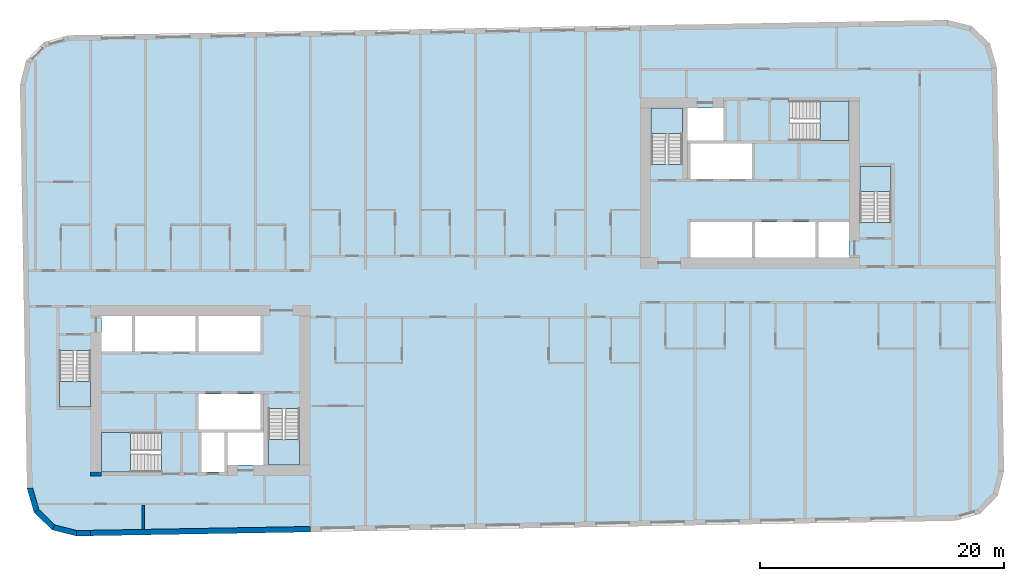
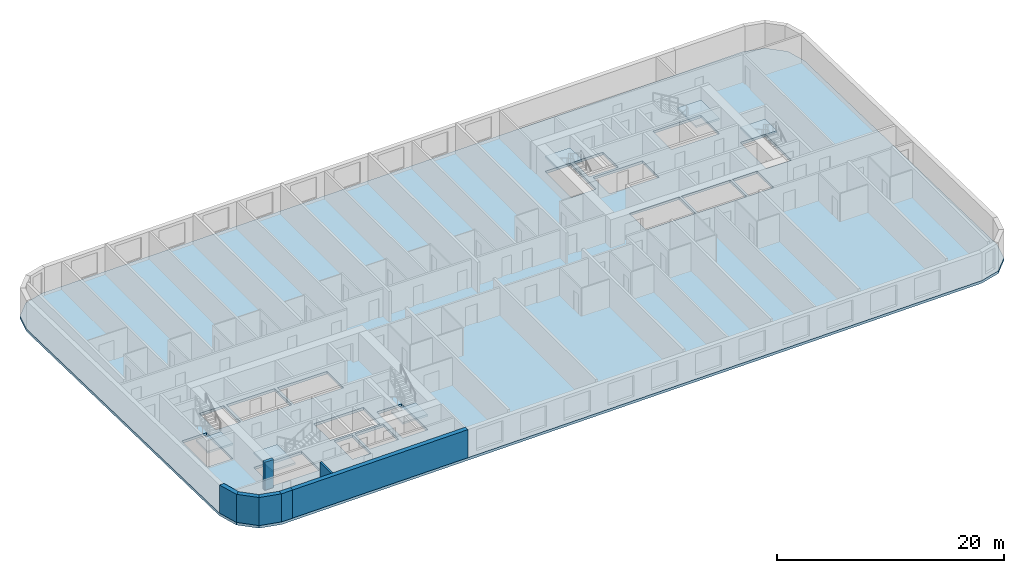
# One storey, part 1 of 11: 7 slabs, 7 walls, 6 elements without a shape of their own.
"""IFC4 building model written with IfcOpenShell, lengths in metres."""

import ifcopenshell
import ifcopenshell.guid

model = None  # the IFC model being written
_history = None  # IfcOwnerHistory: only IFC2X3 demands one
_inside = {}  # id of a spatial element -> (the spatial element, [elements in it])
_under = {}  # id of a project, library or spatial element -> (it, [spatial elements below it])
_declared = {}  # id of a project -> (the project, [libraries it declares])
_typed = {}  # id of a type object -> (the type object, [elements of that type])
_made_of = {}  # id of a material, layer set ... -> (it, [elements and type objects made of it])


def new_model(schema):
    """Start an empty IFC model of exactly this schema.

    Asked for "IFC4X3", IfcOpenShell would pick the latest addendum, in which some entities
    have other attributes; the version numbers below select the first issue.
    IFC2X3 requires an IfcOwnerHistory on every rooted entity: one is made here for all.
    """
    global model, _history
    if schema == "IFC4X3":
        model = ifcopenshell.file(schema_version=(4, 3, 0, 0))
    else:
        model = ifcopenshell.file(schema=schema)
    _inside.clear()
    _under.clear()
    _declared.clear()
    _typed.clear()
    _made_of.clear()
    _history = None
    if model.schema == "IFC2X3":
        org = make("IfcOrganization", Name="unknown")
        user = make(
            "IfcPersonAndOrganization",
            ThePerson=make("IfcPerson", FamilyName="unknown"),
            TheOrganization=org,
        )
        app = make(
            "IfcApplication",
            ApplicationDeveloper=org,
            Version="unknown",
            ApplicationFullName="unknown",
            ApplicationIdentifier="unknown",
        )
        _history = make(
            "IfcOwnerHistory",
            OwningUser=user,
            OwningApplication=app,
            ChangeAction="ADDED",
            CreationDate=0,
        )
    return model


def make(cls, **values):
    """One entity of the class cls with the attributes given. An attribute that is None is left unset."""
    return model.create_entity(
        cls, **{name: value for name, value in values.items() if value is not None}
    )


def rooted(cls, **values):
    """An entity with a GlobalId (a new one), such as an element, a storey or a relation."""
    return make(cls, GlobalId=ifcopenshell.guid.new(), OwnerHistory=_history, **values)


def si_unit(unit_type, name, prefix=None):
    """IfcSIUnit, for example si_unit("LENGTHUNIT", "METRE", prefix="MILLI")."""
    return make("IfcSIUnit", UnitType=unit_type, Prefix=prefix, Name=name)


def assignment(units):
    """IfcUnitAssignment: the units of a project."""
    return None if units is None else make("IfcUnitAssignment", Units=units)


def point(xyz):
    """IfcCartesianPoint."""
    return None if xyz is None else make("IfcCartesianPoint", Coordinates=xyz)


def direction(xyz):
    """IfcDirection."""
    return None if xyz is None else make("IfcDirection", DirectionRatios=xyz)


def frame(location, z_axis=None, x_axis=None):
    """IfcAxis2Placement3D, a coordinate frame: its origin and axes. An axis left out is left unset."""
    return make(
        "IfcAxis2Placement3D",
        Location=point(location),
        Axis=direction(z_axis),
        RefDirection=direction(x_axis),
    )


def frame_2d(location, x_axis=None):
    """IfcAxis2Placement2D, a coordinate frame in the plane: its origin and x axis."""
    return make(
        "IfcAxis2Placement2D", Location=point(location), RefDirection=direction(x_axis)
    )


def origin():
    """The frame at (0, 0, 0) with its axes left unset."""
    return frame((0.0, 0.0, 0.0))


def place(relative_to, where):
    """IfcLocalPlacement: puts the frame where relative to a parent placement (None: the world)."""
    return make(
        "IfcLocalPlacement", PlacementRelTo=relative_to, RelativePlacement=where
    )


def context(
    kind, dimensions, precision=None, world=None, true_north=None, identifier=None
):
    """IfcGeometricRepresentationContext, for example the 3D "Model" context."""
    return make(
        "IfcGeometricRepresentationContext",
        ContextIdentifier=identifier,
        ContextType=kind,
        CoordinateSpaceDimension=dimensions,
        Precision=precision,
        WorldCoordinateSystem=world,
        TrueNorth=true_north,
    )


def subcontext(parent, identifier, kind, view, scale=None):
    """IfcGeometricRepresentationSubContext, for example "Body" below "Model"."""
    return make(
        "IfcGeometricRepresentationSubContext",
        ContextIdentifier=identifier,
        ContextType=kind,
        ParentContext=parent,
        TargetScale=scale,
        TargetView=view,
    )


def project(units=None, contexts=None):
    """IfcProject with its units and contexts."""
    return rooted(
        "IfcProject",
        Name="project",
        RepresentationContexts=contexts,
        UnitsInContext=assignment(units),
    )


def spatial(cls, under=None, at=None, **own):
    """A site, building, storey or space (cls), placed at a placement, below another one or the project."""
    s = rooted(cls, ObjectPlacement=at, **own)
    if under is not None:
        _under.setdefault(under.id(), (under, []))[1].append(s)
    return s


def polyline(points):
    """IfcPolyline through the points."""
    return make("IfcPolyline", Points=[point(p) for p in points])


def profile(cls, at=None, kind="AREA", **sizes):
    """A parametric profile (cls). Its sizes go by their IFC names, for example OverallWidth=200.0."""
    return make(cls, ProfileType=kind, Position=at, **sizes)


def rectangle(**sizes):
    """IfcRectangleProfileDef."""
    return profile("IfcRectangleProfileDef", **sizes)


def outline(outer, holes=None, kind="AREA"):
    """IfcArbitraryClosedProfileDef: a profile drawn as a closed curve; with holes, ...WithVoids."""
    if holes is None:
        return make("IfcArbitraryClosedProfileDef", ProfileType=kind, OuterCurve=outer)
    return make(
        "IfcArbitraryProfileDefWithVoids",
        ProfileType=kind,
        OuterCurve=outer,
        InnerCurves=holes,
    )


def extrude(swept, where, along, depth):
    """IfcExtrudedAreaSolid: the profile swept, set in the frame where, extruded along a direction by depth."""
    return make(
        "IfcExtrudedAreaSolid",
        SweptArea=swept,
        Position=where,
        ExtrudedDirection=direction(along),
        Depth=depth,
    )


def shape(context_of_items, identifier, shape_type, items):
    """IfcShapeRepresentation: the items that make up one representation, for example the "Body"."""
    return make(
        "IfcShapeRepresentation",
        ContextOfItems=context_of_items,
        RepresentationIdentifier=identifier,
        RepresentationType=shape_type,
        Items=items,
    )


def material(Name=None, Category=None):
    """IfcMaterial."""
    return make("IfcMaterial", Name=Name, Category=Category)


def layer(
    of_material, thickness, ventilated=None, Name=None, Category=None, Priority=None
):
    """IfcMaterialLayer: one layer of a wall or slab, of a material (None: an air gap)."""
    return make(
        "IfcMaterialLayer",
        Material=of_material,
        LayerThickness=thickness,
        IsVentilated=ventilated,
        Name=Name,
        Category=Category,
        Priority=Priority,
    )


def layer_set(layers, Name=None):
    """IfcMaterialLayerSet."""
    return make("IfcMaterialLayerSet", MaterialLayers=layers, LayerSetName=Name)


def made_of(thing, what):
    """Note that an element or type object is made of a material, layer set ...; save() writes the relation."""
    if what is not None:
        _made_of.setdefault(what.id(), (what, []))[1].append(thing)
    return thing


def type_object(cls, material=None, **own):
    """A type object (cls), such as IfcWallType, which elements share."""
    return made_of(rooted(cls, **own), material)


def element(
    cls,
    number,
    at=None,
    inside=None,
    cuts=None,
    type_object=None,
    material=None,
    context=None,
    identifier="Body",
    shape_type=None,
    held_by="IfcProductDefinitionShape",
    body=None,
    shapes=None,
    **own,
):
    """One element of the class cls, such as IfcWall. Its Tag is "e" and its number.

    at: its placement. inside: the storey or other place that contains it. cuts: it is an
    opening in that element (IfcRelVoidsElement). A single representation is given by context,
    identifier, shape_type and body (its items); several are given by shapes. held_by: the class
    of the entity that holds the representations. save() writes the other relations.
    """
    e = rooted(cls, Tag="e%d" % number, ObjectPlacement=at, **own)
    if body is not None:
        shapes = [shape(context, identifier, shape_type, body)]
    if shapes is not None:
        e.Representation = make(held_by, Representations=shapes)
    if inside is not None:
        _inside.setdefault(inside.id(), (inside, []))[1].append(e)
    if cuts is not None:
        rooted(
            "IfcRelVoidsElement", RelatingBuildingElement=cuts, RelatedOpeningElement=e
        )
    if type_object is not None:
        _typed.setdefault(type_object.id(), (type_object, []))[1].append(e)
    return made_of(e, material)


def aggregate(whole, parts):
    """IfcRelAggregates: a whole, such as a stair, and the parts it consists of."""
    return rooted("IfcRelAggregates", RelatingObject=whole, RelatedObjects=parts)


def save(model, path):
    """Write the relations noted so far, then the file.

    IfcRelAggregates (storeys below a building ...), IfcRelContainedInSpatialStructure (elements
    in a storey), IfcRelDefinesByType, IfcRelAssociatesMaterial and IfcRelDeclares: one each for
    every whole, place, type object, material and project.
    """
    for whole, parts in _under.values():
        aggregate(whole, parts)
    for where, things in _inside.values():
        rooted(
            "IfcRelContainedInSpatialStructure",
            RelatedElements=things,
            RelatingStructure=where,
        )
    for kind, things in _typed.values():
        rooted("IfcRelDefinesByType", RelatedObjects=things, RelatingType=kind)
    for what, things in _made_of.values():
        rooted("IfcRelAssociatesMaterial", RelatedObjects=things, RelatingMaterial=what)
    for by, libraries in _declared.values():
        rooted("IfcRelDeclares", RelatingContext=by, RelatedDefinitions=libraries)
    model.write(path)


model = new_model("IFC4")

# Units and contexts
model_context = context("Model", 3, precision=1e-05, world=origin(), true_north=direction((0.0, 1.0)))
body_context = subcontext(model_context, "Body", "Model", "MODEL_VIEW")
ifc_project = project(units=[si_unit("LENGTHUNIT", "METRE"), si_unit("AREAUNIT", "SQUARE_METRE"), si_unit("VOLUMEUNIT", "CUBIC_METRE"), si_unit("PLANEANGLEUNIT", "RADIAN"), si_unit("MASSUNIT", "GRAM", prefix="KILO")], contexts=[model_context])

# Site, building, storey
site_placement = place(None, origin())
site = spatial("IfcSite", under=ifc_project, at=site_placement, CompositionType="ELEMENT")
building_placement = place(site_placement, origin())
building = spatial("IfcBuilding", under=site, at=building_placement, Name="Kajstack Hotel Tower", CompositionType="ELEMENT")
storey_placement = place(building_placement, frame((0.0, 0.0, 240.800048828125)))
storey = spatial("IfcBuildingStorey", under=building, at=storey_placement, Name="L59", CompositionType="ELEMENT", Elevation=240.800048828125)

# Slab
ifc_material_1 = material(Name="Concrete C40/50", Category="concrete")
ifc_layer_1 = layer(ifc_material_1, 0.280029296875)
ifc_layer_set_1 = layer_set([ifc_layer_1], Name="RC slab 280 C40/50 guest")
slab_type_1 = type_object("IfcSlabType", Name="RC slab 280 C40/50 guest", PredefinedType="FLOOR", material=ifc_layer_set_1)
slab_1_placement = place(storey_placement, frame((0.0, 0.0, -0.280029296875)))
element("IfcSlab", 1, at=slab_1_placement, inside=storey, type_object=slab_type_1, Name="S-slab-L59", PredefinedType="FLOOR", context=body_context, shape_type="SweptSolid", body=[
    extrude(outline(polyline([(-37.281982421875, 16.49951171875), (-36.705810546875, -16.49560546875), (-36.13525390625, -18.48583984375), (-34.645751953125, -19.92431640625), (-32.63671875, -20.42529296875), (39.352294921875, -19.168701171875), (41.342529296875, -18.597900390625), (42.781005859375, -17.1083984375), (43.281982421875, -15.099365234375), (42.705810546875, 17.8955078125), (42.13525390625, 19.885986328125), (40.645751953125, 21.32421875), (38.63671875, 21.8251953125), (-33.352294921875, 20.568603515625), (-35.342529296875, 19.997802734375), (-36.781005859375, 18.50830078125), (-37.281982421875, 16.49951171875)]), holes=[polyline([(-22.64990234375, -11.699951171875), (-22.64990234375, -8.800048828125), (-17.60009765625, -8.800048828125), (-17.60009765625, -11.699951171875), (-22.64990234375, -11.699951171875)]), polyline([(-27.85009765625, -5.300048828125), (-27.85009765625, -2.39990234375), (-22.89990234375, -2.39990234375), (-22.89990234375, -5.300048828125), (-27.85009765625, -5.300048828125)]), polyline([(-22.64990234375, -5.300048828125), (-22.64990234375, -2.39990234375), (-17.60009765625, -2.39990234375), (-17.60009765625, -5.300048828125), (-22.64990234375, -5.300048828125)]), polyline([(-20.300048828125, -14.60009765625), (-17.35009765625, -14.60009765625), (-17.35009765625, -11.949951171875), (-20.300048828125, -11.949951171875), (-20.300048828125, -14.60009765625)]), polyline([(-30.60009765625, -5.300048828125), (-28.10009765625, -5.300048828125), (-28.10009765625, -2.39990234375), (-30.60009765625, -2.39990234375), (-30.60009765625, -5.300048828125)]), polyline([(17.60009765625, 8.800048828125), (17.60009765625, 11.699951171875), (22.64990234375, 11.699951171875), (22.64990234375, 8.800048828125), (17.60009765625, 8.800048828125)]), polyline([(22.89990234375, 2.39990234375), (22.89990234375, 5.300048828125), (27.85009765625, 5.300048828125), (27.85009765625, 2.39990234375), (22.89990234375, 2.39990234375)]), polyline([(17.60009765625, 2.39990234375), (17.60009765625, 5.300048828125), (22.64990234375, 5.300048828125), (22.64990234375, 2.39990234375), (17.60009765625, 2.39990234375)]), polyline([(20.300048828125, 14.60009765625), (17.35009765625, 14.60009765625), (17.35009765625, 11.949951171875), (20.300048828125, 11.949951171875), (20.300048828125, 14.60009765625)]), polyline([(30.60009765625, 5.300048828125), (28.10009765625, 5.300048828125), (28.10009765625, 2.39990234375), (30.60009765625, 2.39990234375), (30.60009765625, 5.300048828125)]), polyline([(-34.050048828125, -9.85009765625), (-31.5, -9.85009765625), (-31.5, -5.25), (-34.050048828125, -5.25), (-34.050048828125, -9.85009765625)]), polyline([(-16.949951171875, -14.60009765625), (-14.39990234375, -14.60009765625), (-14.39990234375, -10.0), (-16.949951171875, -10.0), (-16.949951171875, -14.60009765625)]), polyline([(-30.60009765625, -15.199951171875), (-25.699951171875, -15.199951171875), (-25.699951171875, -11.949951171875), (-30.60009765625, -11.949951171875), (-30.60009765625, -15.199951171875)]), polyline([(34.050048828125, 9.85009765625), (31.5, 9.85009765625), (31.5, 5.25), (34.050048828125, 5.25), (34.050048828125, 9.85009765625)]), polyline([(16.949951171875, 14.60009765625), (14.39990234375, 14.60009765625), (14.39990234375, 10.0), (16.949951171875, 10.0), (16.949951171875, 14.60009765625)]), polyline([(30.60009765625, 15.199951171875), (25.699951171875, 15.199951171875), (25.699951171875, 11.949951171875), (30.60009765625, 11.949951171875), (30.60009765625, 15.199951171875)]), polyline([(-22.425048828125, -15.199951171875), (-22.425048828125, -11.949951171875), (-20.550048828125, -11.949951171875), (-20.550048828125, -15.199951171875), (-22.425048828125, -15.199951171875)])]), origin(), (0.0, 0.0, 1.0), 0.280029296875),
])

# Stair, slab
stair_type_1 = type_object("IfcStairType", Name="Exit stair 1200", PredefinedType="HALF_TURN_STAIR", material=ifc_material_1)
stair_1_placement = place(storey_placement, origin())
stair_1 = element("IfcStair", 2, at=stair_1_placement, inside=storey, type_object=stair_type_1, Name="L59 stair W1", PredefinedType="HALF_TURN_STAIR")
ifc_layer_2 = layer(ifc_material_1, 0.199951171875)
ifc_layer_set_2 = layer_set([ifc_layer_2], Name="Stair landing 200")
slab_type_2 = type_object("IfcSlabType", Name="Stair landing 200", PredefinedType="LANDING", material=ifc_layer_set_2)
slab_2_placement = place(storey_placement, frame((0.0, 0.0, 1.449951171875)))
slab_2 = element("IfcSlab", 3, at=slab_2_placement, type_object=slab_type_2, Name="W1 landing 1", PredefinedType="LANDING", context=body_context, shape_type="SweptSolid", body=[
    extrude(outline(polyline([(-34.050048828125, -7.77001953125), (-34.050048828125, -9.85009765625), (-31.5, -9.85009765625), (-31.5, -7.77001953125), (-34.050048828125, -7.77001953125)])), origin(), (0.0, 0.0, 1.0), 0.199951171875),
])
aggregate(stair_1, [slab_2])

stair_2_placement = place(storey_placement, origin())
stair_2 = element("IfcStair", 4, at=stair_2_placement, inside=storey, type_object=stair_type_1, Name="L59 stair W2", PredefinedType="HALF_TURN_STAIR")
slab_3_placement = place(storey_placement, frame((0.0, 0.0, 1.449951171875)))
slab_3 = element("IfcSlab", 5, at=slab_3_placement, type_object=slab_type_2, Name="W2 landing 1", PredefinedType="LANDING", context=body_context, shape_type="SweptSolid", body=[
    extrude(outline(polyline([(-16.949951171875, -12.52001953125), (-16.949951171875, -14.60009765625), (-14.39990234375, -14.60009765625), (-14.39990234375, -12.52001953125), (-16.949951171875, -12.52001953125)])), origin(), (0.0, 0.0, 1.0), 0.199951171875),
])
aggregate(stair_2, [slab_3])

stair_type_2 = type_object("IfcStairType", Name="Exit stair 1500", PredefinedType="HALF_TURN_STAIR", material=ifc_material_1)
stair_3_placement = place(storey_placement, origin())
stair_3 = element("IfcStair", 6, at=stair_3_placement, inside=storey, type_object=stair_type_2, Name="L59 stair W3", PredefinedType="HALF_TURN_STAIR")
slab_4_placement = place(storey_placement, frame((0.0, 0.0, 1.449951171875)))
slab_4 = element("IfcSlab", 7, at=slab_4_placement, type_object=slab_type_2, Name="W3 landing 1", PredefinedType="LANDING", context=body_context, shape_type="SweptSolid", body=[
    extrude(outline(polyline([(-28.219970703125, -11.949951171875), (-30.60009765625, -11.949951171875), (-30.60009765625, -15.199951171875), (-28.219970703125, -15.199951171875), (-28.219970703125, -11.949951171875)])), origin(), (0.0, 0.0, 1.0), 0.199951171875),
])
aggregate(stair_3, [slab_4])

stair_4_placement = place(storey_placement, origin())
stair_4 = element("IfcStair", 8, at=stair_4_placement, inside=storey, type_object=stair_type_1, Name="L59 stair E1", PredefinedType="HALF_TURN_STAIR")
slab_5_placement = place(storey_placement, frame((0.0, 0.0, 1.449951171875)))
slab_5 = element("IfcSlab", 9, at=slab_5_placement, type_object=slab_type_2, Name="E1 landing 1", PredefinedType="LANDING", context=body_context, shape_type="SweptSolid", body=[
    extrude(outline(polyline([(34.050048828125, 7.77001953125), (34.050048828125, 9.85009765625), (31.5, 9.85009765625), (31.5, 7.77001953125), (34.050048828125, 7.77001953125)])), origin(), (0.0, 0.0, 1.0), 0.199951171875),
])
aggregate(stair_4, [slab_5])

stair_5_placement = place(storey_placement, origin())
stair_5 = element("IfcStair", 10, at=stair_5_placement, inside=storey, type_object=stair_type_1, Name="L59 stair E2", PredefinedType="HALF_TURN_STAIR")
slab_6_placement = place(storey_placement, frame((0.0, 0.0, 1.449951171875)))
slab_6 = element("IfcSlab", 11, at=slab_6_placement, type_object=slab_type_2, Name="E2 landing 1", PredefinedType="LANDING", context=body_context, shape_type="SweptSolid", body=[
    extrude(outline(polyline([(16.949951171875, 12.52001953125), (16.949951171875, 14.60009765625), (14.39990234375, 14.60009765625), (14.39990234375, 12.52001953125), (16.949951171875, 12.52001953125)])), origin(), (0.0, 0.0, 1.0), 0.199951171875),
])
aggregate(stair_5, [slab_6])

stair_6_placement = place(storey_placement, origin())
stair_6 = element("IfcStair", 12, at=stair_6_placement, inside=storey, type_object=stair_type_2, Name="L59 stair E3", PredefinedType="HALF_TURN_STAIR")
slab_7_placement = place(storey_placement, frame((0.0, 0.0, 1.449951171875)))
slab_7 = element("IfcSlab", 13, at=slab_7_placement, type_object=slab_type_2, Name="E3 landing 1", PredefinedType="LANDING", context=body_context, shape_type="SweptSolid", body=[
    extrude(outline(polyline([(28.219970703125, 11.949951171875), (30.60009765625, 11.949951171875), (30.60009765625, 15.199951171875), (28.219970703125, 15.199951171875), (28.219970703125, 11.949951171875)])), origin(), (0.0, 0.0, 1.0), 0.199951171875),
])
aggregate(stair_6, [slab_7])

# Walls
ifc_material_2 = material(Name="Concrete C60/75", Category="concrete")
ifc_layer_3 = layer(ifc_material_2, 0.89990234375)
ifc_layer_set_3 = layer_set([ifc_layer_3], Name="Core wall 900")
wall_type_1 = type_object("IfcWallType", Name="Core wall 900", PredefinedType="SHEAR", material=ifc_layer_set_3)
wall_1_placement = place(storey_placement, frame((-31.5, -15.35009765625, 0.0), z_axis=(0.0, 0.0, 1.0), x_axis=(1.0, 0.0, 0.0)))
element("IfcWall", 14, at=wall_1_placement, inside=storey, type_object=wall_type_1, Name="Core wall W RSW", PredefinedType="SHEAR", context=body_context, shape_type="SweptSolid", body=[
    extrude(rectangle(XDim=0.89990234375, YDim=0.300048828125, at=frame_2d((0.449951171875, 0.0))), origin(), (0.0, 0.0, 1.0), 3.02001953125),
])
ifc_layer_4 = layer(ifc_material_1, 0.449951171875)
ifc_layer_set_4 = layer_set([ifc_layer_4], Name="EW-CORE")
wall_type_2 = type_object("IfcWallType", Name="EW-CORE", PredefinedType="SOLIDWALL", material=ifc_layer_set_4)
wall_2_placement = place(storey_placement, frame((-31.50390625, -20.180419921875, 0.0), z_axis=(0.0, 0.0, 1.0), x_axis=(0.999847677887, 0.017453395744, 0.0)))
element("IfcWall", 15, at=wall_2_placement, inside=storey, type_object=wall_type_2, Name="E-wall-L59-04-01", PredefinedType="SOLIDWALL", context=body_context, shape_type="SweptSolid", body=[
    extrude(rectangle(XDim=18.002685546875, YDim=0.449951171875, at=frame_2d((9.00146484375, 0.0))), origin(), (0.0, 0.0, 1.0), 3.02001953125),
])
ifc_material_3 = material(Name="Terracotta-faced brick masonry", Category="masonry")
ifc_layer_5 = layer(ifc_material_3, 0.449951171875)
ifc_layer_set_5 = layer_set([ifc_layer_5], Name="EW-TERRA")
wall_type_3 = type_object("IfcWallType", Name="EW-TERRA", PredefinedType="SOLIDWALL", material=ifc_layer_set_5)
wall_3_placement = place(storey_placement, frame((-36.489501953125, -16.43359375, 0.0), z_axis=(0.0, 0.0, 1.0), x_axis=(0.275577603096, -0.961278827745, 0.0)))
element("IfcWall", 16, at=wall_3_placement, inside=storey, type_object=wall_type_3, Name="E-wall-L59-01-00", PredefinedType="SOLIDWALL", context=body_context, shape_type="SweptSolid", body=[
    extrude(outline(polyline([(0.0, -0.22509765625), (2.070556640625, -0.22509765625), (1.949951171875, 0.22509765625), (0.12060546875, 0.224853515625), (0.0, -0.22509765625)])), origin(), (0.0, 0.0, 1.0), 3.02001953125),
])
wall_4_placement = place(storey_placement, frame((-35.97900390625, -18.323974609375, 0.0), z_axis=(0.0, 0.0, 1.0), x_axis=(0.719320193998, -0.694678672846, 0.0)))
element("IfcWall", 17, at=wall_4_placement, inside=storey, type_object=wall_type_3, Name="E-wall-L59-02-00", PredefinedType="SOLIDWALL", context=body_context, shape_type="SweptSolid", body=[
    extrude(outline(polyline([(0.000244140625, -0.22509765625), (2.07080078125, -0.22509765625), (1.9501953125, 0.22509765625), (0.12060546875, 0.22509765625), (0.000244140625, -0.22509765625)])), origin(), (0.0, 0.0, 1.0), 3.02001953125),
])
wall_5_placement = place(storey_placement, frame((-34.59130859375, -19.7060546875, 0.0), z_axis=(0.0, 0.0, 1.0), x_axis=(0.970315655375, -0.241841950319, 0.0)))
element("IfcWall", 18, at=wall_5_placement, inside=storey, type_object=wall_type_3, Name="E-wall-L59-03-00", PredefinedType="SOLIDWALL", context=body_context, shape_type="SweptSolid", body=[
    extrude(outline(polyline([(0.0, -0.224853515625), (2.070556640625, -0.22509765625), (1.949951171875, 0.224853515625), (0.12060546875, 0.22509765625), (0.0, -0.224853515625)])), origin(), (0.0, 0.0, 1.0), 3.02001953125),
])
wall_6_placement = place(storey_placement, frame((-32.640625, -20.2001953125, 0.0), z_axis=(0.0, 0.0, 1.0), x_axis=(0.99984870815, 0.017394275206, 0.0)))
element("IfcWall", 19, at=wall_6_placement, inside=storey, type_object=wall_type_3, Name="E-wall-L59-04-00", PredefinedType="SOLIDWALL", context=body_context, shape_type="SweptSolid", body=[
    extrude(rectangle(XDim=1.136962890625, YDim=0.449951171875, at=frame_2d((0.568359375, 0.0))), origin(), (0.0, 0.0, 1.0), 3.02001953125),
])
ifc_material_4 = material(Name="Gypsum board on steel studs, mineral wool", Category="steel")
ifc_layer_6 = layer(ifc_material_4, 0.199951171875)
ifc_layer_set_6 = layer_set([ifc_layer_6], Name="Service partition 200")
wall_type_4 = type_object("IfcWallType", Name="Service partition 200", PredefinedType="PARTITIONING", material=ifc_layer_set_6)
wall_7_placement = place(storey_placement, frame((-27.199951171875, -19.88037109375, 0.0), z_axis=(0.0, 0.0, 1.0), x_axis=(0.0, 1.0, 0.0)))
element("IfcWall", 20, at=wall_7_placement, inside=storey, type_object=wall_type_4, Name="Partition W SLP0", PredefinedType="PARTITIONING", context=body_context, shape_type="SweptSolid", body=[
    extrude(rectangle(XDim=1.98046875, YDim=0.199951171875, at=frame_2d((0.990234375, 0.0))), origin(), (0.0, 0.0, 1.0), 3.02001953125),
])

save(model, "model.ifc")
